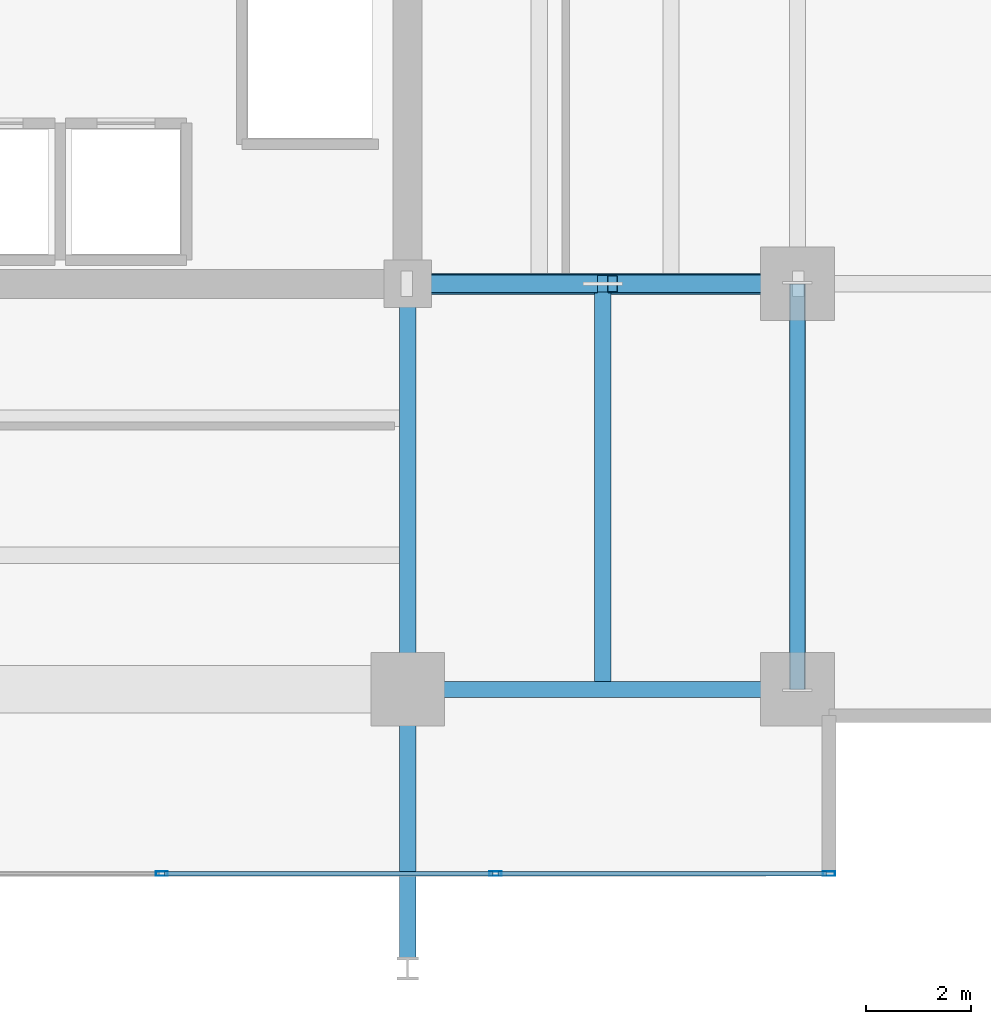
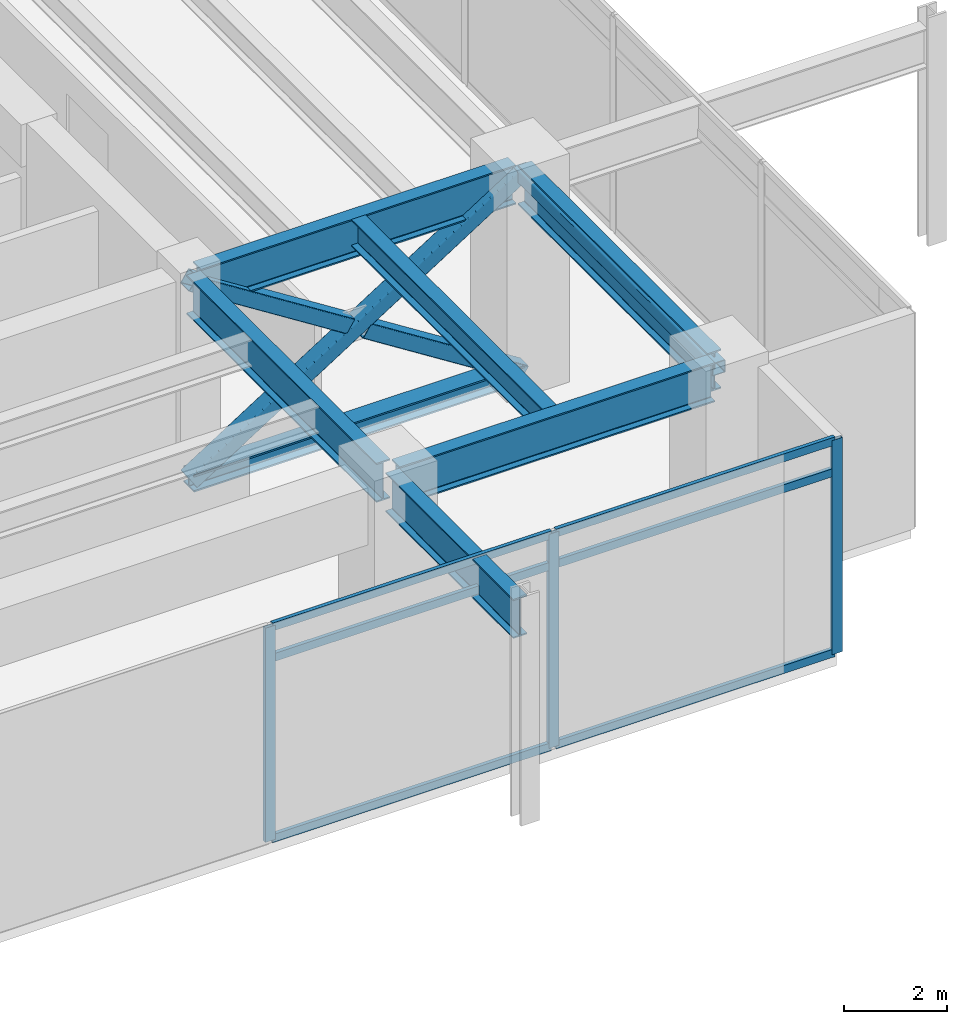
# One storey, part 8 of 21: 14 members, 6 beams, 1 element without a shape of its own.
"""IFC4 building model written with IfcOpenShell, lengths in metres."""

from ifc_helpers import new_model, si_unit, direction, frame, origin, origin_2d, place, context, subcontext, project, spatial, hollow_rectangle, i_section, extrude, material, material_profile, profile_set, type_object, element, aggregate, save


model = new_model("IFC4")

# Units and contexts
model_context = context("Model", 3, precision=1e-05, world=origin(), true_north=direction((0.0, 1.0)))
body_context = subcontext(model_context, "Body", "Model", "MODEL_VIEW")
ifc_project = project(units=[si_unit("LENGTHUNIT", "METRE"), si_unit("AREAUNIT", "SQUARE_METRE"), si_unit("VOLUMEUNIT", "CUBIC_METRE"), si_unit("PLANEANGLEUNIT", "RADIAN"), si_unit("MASSUNIT", "GRAM", prefix="KILO")], contexts=[model_context])

# Site, building, storey
site_placement = place(None, origin())
site = spatial("IfcSite", under=ifc_project, at=site_placement, CompositionType="ELEMENT")
building_placement = place(site_placement, origin())
building = spatial("IfcBuilding", under=site, at=building_placement, Name="Kovane Verandah Tower", CompositionType="ELEMENT")
storey_placement = place(building_placement, frame((0.0, 0.0, 189.39990234375)))
storey = spatial("IfcBuildingStorey", under=building, at=storey_placement, Name="L44", CompositionType="ELEMENT", Elevation=189.39990234375)

# Beams
ifc_material_1 = material(Name="Steel S460", Category="steel")
ifc_material_profile_1 = material_profile(ifc_material_1, i_section(OverallWidth=0.311279296875, OverallDepth=0.6357421875, WebThickness=0.018310546875, FlangeThickness=0.031494140625, FilletRadius=0.0166015625, at=origin_2d()), Name="UB610x305x238")
ifc_profile_set_1 = profile_set([ifc_material_profile_1], Name="Steel S460")
beam_type_1 = type_object("IfcBeamType", Name="BM-UB610x238", PredefinedType="BEAM", material=ifc_profile_set_1)
beam_1_placement = place(storey_placement, frame((54.699951171875, 10.951904296875, 4.7822265625), z_axis=(0.0, 1.0, 0.0), x_axis=(-1.0, 0.0, 0.0)))
element("IfcBeam", 1, at=beam_1_placement, inside=storey, type_object=beam_type_1, Name="L44 Secondary Composite Joist J-SE1", PredefinedType="BEAM", context=body_context, shape_type="SweptSolid", body=[
    extrude(i_section(OverallWidth=0.311279296875, OverallDepth=0.6357421875, WebThickness=0.018310546875, FlangeThickness=0.031494140625, FilletRadius=0.0166015625, at=origin_2d()), origin(), (0.0, 0.0, 1.0), 7.396240234375),
])
ifc_material_profile_2 = material_profile(ifc_material_1, i_section(OverallWidth=0.3076171875, OverallDepth=0.926513671875, WebThickness=0.01953125, FlangeThickness=0.031982421875, FilletRadius=0.01904296875, at=origin_2d()), Name="UB914x305x289")
ifc_profile_set_2 = profile_set([ifc_material_profile_2], Name="Steel S460")
beam_type_2 = type_object("IfcBeamType", Name="BM-UB914x289", PredefinedType="BEAM", material=ifc_profile_set_2)
beam_2_placement = place(storey_placement, frame((51.179931640625, 10.800048828125, 4.63671875), z_axis=(1.0, 0.0, 0.0), x_axis=(0.0, 1.0, 0.0)))
element("IfcBeam", 2, at=beam_2_placement, inside=storey, type_object=beam_type_2, Name="L44 Primary Tower Girder G-RS3", PredefinedType="BEAM", context=body_context, shape_type="SweptSolid", body=[
    extrude(i_section(OverallWidth=0.3076171875, OverallDepth=0.926513671875, WebThickness=0.01953125, FlangeThickness=0.031982421875, FilletRadius=0.01904296875, at=origin_2d()), origin(), (0.0, 0.0, 1.0), 7.0400390625),
])
beam_3_placement = place(storey_placement, frame((58.39990234375, 10.97998046875, 4.63671875), z_axis=(0.0, 1.0, 0.0), x_axis=(-1.0, 0.0, 0.0)))
element("IfcBeam", 3, at=beam_3_placement, inside=storey, type_object=beam_type_2, Name="L44 Primary Tower Girder G-RE1", PredefinedType="BEAM", context=body_context, shape_type="SweptSolid", body=[
    extrude(i_section(OverallWidth=0.3076171875, OverallDepth=0.926513671875, WebThickness=0.01953125, FlangeThickness=0.031982421875, FilletRadius=0.01904296875, at=origin_2d()), origin(), (0.0, 0.0, 1.0), 7.340087890625),
])
beam_4_placement = place(storey_placement, frame((51.179931640625, 18.5, 4.63671875), z_axis=(1.0, 0.0, 0.0), x_axis=(0.0, 1.0, 0.0)))
element("IfcBeam", 4, at=beam_4_placement, inside=storey, type_object=beam_type_2, Name="L44 Primary Tower Girder G-E1", PredefinedType="BEAM", context=body_context, shape_type="SweptSolid", body=[
    extrude(i_section(OverallWidth=0.3076171875, OverallDepth=0.926513671875, WebThickness=0.01953125, FlangeThickness=0.031982421875, FilletRadius=0.01904296875, at=origin_2d()), origin(), (0.0, 0.0, 1.0), 7.0400390625),
])
beam_5_placement = place(storey_placement, frame((51.0, 18.320068359375, 4.63671875), z_axis=(0.0, -1.0, 0.0), x_axis=(1.0, 0.0, 0.0)))
element("IfcBeam", 5, at=beam_5_placement, inside=storey, type_object=beam_type_2, Name="L44 Primary Tower Girder G-S2", PredefinedType="BEAM", context=body_context, shape_type="SweptSolid", body=[
    extrude(i_section(OverallWidth=0.3076171875, OverallDepth=0.926513671875, WebThickness=0.01953125, FlangeThickness=0.031982421875, FilletRadius=0.01904296875, at=origin_2d()), origin(), (0.0, 0.0, 1.0), 7.340087890625),
])
beam_6_placement = place(storey_placement, frame((51.0, 10.6201171875, 4.63671875), z_axis=(0.0, -1.0, 0.0), x_axis=(1.0, 0.0, 0.0)))
element("IfcBeam", 6, at=beam_6_placement, inside=storey, type_object=beam_type_2, Name="L44 Primary Tower Girder G-VS2", PredefinedType="BEAM", context=body_context, shape_type="SweptSolid", body=[
    extrude(i_section(OverallWidth=0.3076171875, OverallDepth=0.926513671875, WebThickness=0.01953125, FlangeThickness=0.031982421875, FilletRadius=0.01904296875, at=origin_2d()), origin(), (0.0, 0.0, 1.0), 4.940185546875),
])

# Curtain wall, members
ifc_material_2 = material(Name="Champagne Anodised Aluminium Frame with Low-E Clear Laminated Glass", Category="aluminium")
curtain_wall_type = type_object("IfcCurtainWallType", Name="CW-SYS-04-WAIST", PredefinedType="NOTDEFINED", material=ifc_material_2)
curtain_wall_placement = place(storey_placement, origin())
curtain_wall = element("IfcCurtainWall", 7, at=curtain_wall_placement, inside=storey, type_object=curtain_wall_type, Name="L44 S Unitised Curtain Wall", PredefinedType="NOTDEFINED")
ifc_material_3 = material(Name="Champagne Anodised Aluminium 6063-T6", Category="aluminium")
ifc_material_profile_3 = material_profile(ifc_material_3, hollow_rectangle(XDim=0.0849609375, YDim=0.22998046875, WallThickness=0.00390625, at=origin_2d()), Name="AL85x230x4")
ifc_profile_set_3 = profile_set([ifc_material_profile_3], Name="Champagne Anodised Aluminium 6063-T6")
member_type_1 = type_object("IfcMemberType", Name="CW-MUL-85x230", PredefinedType="MULLION", material=ifc_profile_set_3)
member_1_placement = place(storey_placement, frame((46.333251953125, 7.300048828125, 0.02001953125), z_axis=(0.0, 0.0, 1.0), x_axis=(0.0, -1.0, 0.0)))
member_1 = element("IfcMember", 8, at=member_1_placement, type_object=member_type_1, Name="L44 S Unitised Curtain Wall Mullion 5", PredefinedType="MULLION", context=body_context, shape_type="SweptSolid", body=[
    extrude(hollow_rectangle(XDim=0.0849609375, YDim=0.22998046875, WallThickness=0.00390625, at=origin_2d()), origin(), (0.0, 0.0, 1.0), 5.06005859375),
])
member_2_placement = place(storey_placement, frame((52.666748046875, 7.300048828125, 0.02001953125), z_axis=(0.0, 0.0, 1.0), x_axis=(0.0, -1.0, 0.0)))
member_2 = element("IfcMember", 9, at=member_2_placement, type_object=member_type_1, Name="L44 S Unitised Curtain Wall Mullion 6", PredefinedType="MULLION", context=body_context, shape_type="SweptSolid", body=[
    extrude(hollow_rectangle(XDim=0.0849609375, YDim=0.22998046875, WallThickness=0.00390625, at=origin_2d()), origin(), (0.0, 0.0, 1.0), 5.06005859375),
])
member_3_placement = place(storey_placement, frame((59.0, 7.300048828125, 0.02001953125), z_axis=(0.0, 0.0, 1.0), x_axis=(0.0, -1.0, 0.0)))
member_3 = element("IfcMember", 10, at=member_3_placement, type_object=member_type_1, Name="L44 S Unitised Curtain Wall Mullion 7", PredefinedType="MULLION", context=body_context, shape_type="SweptSolid", body=[
    extrude(hollow_rectangle(XDim=0.0849609375, YDim=0.22998046875, WallThickness=0.00390625, at=origin_2d()), origin(), (0.0, 0.0, 1.0), 5.06005859375),
])
ifc_material_profile_4 = material_profile(ifc_material_3, hollow_rectangle(XDim=0.0849609375, YDim=0.18994140625, WallThickness=0.00390625, at=origin_2d()), Name="AL85x190x4")
ifc_profile_set_4 = profile_set([ifc_material_profile_4], Name="Champagne Anodised Aluminium 6063-T6")
member_type_2 = type_object("IfcMemberType", Name="CW-TRN-85x190", PredefinedType="USERDEFINED", material=ifc_profile_set_4)
member_4_placement = place(storey_placement, frame((46.38330078125, 7.300048828125, 0.050048828125), z_axis=(1.0, 0.0, 0.0), x_axis=(0.0, 1.0, 0.0)))
member_4 = element("IfcMember", 11, at=member_4_placement, type_object=member_type_2, Name="L44 S Unitised Curtain Wall Transom TB Bay 5", ObjectType="TRANSOM", PredefinedType="USERDEFINED", context=body_context, shape_type="SweptSolid", body=[
    extrude(hollow_rectangle(XDim=0.0849609375, YDim=0.18994140625, WallThickness=0.00390625, at=origin_2d()), origin(), (0.0, 0.0, 1.0), 6.2333984375),
])
member_5_placement = place(storey_placement, frame((46.38330078125, 7.300048828125, 4.320068359375), z_axis=(1.0, 0.0, 0.0), x_axis=(0.0, 1.0, 0.0)))
member_5 = element("IfcMember", 12, at=member_5_placement, type_object=member_type_2, Name="L44 S Unitised Curtain Wall Transom TM Bay 5", ObjectType="TRANSOM", PredefinedType="USERDEFINED", context=body_context, shape_type="SweptSolid", body=[
    extrude(hollow_rectangle(XDim=0.0849609375, YDim=0.18994140625, WallThickness=0.00390625, at=origin_2d()), origin(), (0.0, 0.0, 1.0), 6.2333984375),
])
member_6_placement = place(storey_placement, frame((46.38330078125, 7.300048828125, 5.050048828125), z_axis=(1.0, 0.0, 0.0), x_axis=(0.0, 1.0, 0.0)))
member_6 = element("IfcMember", 13, at=member_6_placement, type_object=member_type_2, Name="L44 S Unitised Curtain Wall Transom TT Bay 5", ObjectType="TRANSOM", PredefinedType="USERDEFINED", context=body_context, shape_type="SweptSolid", body=[
    extrude(hollow_rectangle(XDim=0.0849609375, YDim=0.18994140625, WallThickness=0.00390625, at=origin_2d()), origin(), (0.0, 0.0, 1.0), 6.2333984375),
])
member_7_placement = place(storey_placement, frame((52.716796875, 7.300048828125, 0.050048828125), z_axis=(1.0, 0.0, 0.0), x_axis=(0.0, 1.0, 0.0)))
member_7 = element("IfcMember", 14, at=member_7_placement, type_object=member_type_2, Name="L44 S Unitised Curtain Wall Transom TB Bay 6", ObjectType="TRANSOM", PredefinedType="USERDEFINED", context=body_context, shape_type="SweptSolid", body=[
    extrude(hollow_rectangle(XDim=0.0849609375, YDim=0.18994140625, WallThickness=0.00390625, at=origin_2d()), origin(), (0.0, 0.0, 1.0), 6.233154296875),
])
member_8_placement = place(storey_placement, frame((52.716796875, 7.300048828125, 4.320068359375), z_axis=(1.0, 0.0, 0.0), x_axis=(0.0, 1.0, 0.0)))
member_8 = element("IfcMember", 15, at=member_8_placement, type_object=member_type_2, Name="L44 S Unitised Curtain Wall Transom TM Bay 6", ObjectType="TRANSOM", PredefinedType="USERDEFINED", context=body_context, shape_type="SweptSolid", body=[
    extrude(hollow_rectangle(XDim=0.0849609375, YDim=0.18994140625, WallThickness=0.00390625, at=origin_2d()), origin(), (0.0, 0.0, 1.0), 6.233154296875),
])
member_9_placement = place(storey_placement, frame((52.716796875, 7.300048828125, 5.050048828125), z_axis=(1.0, 0.0, 0.0), x_axis=(0.0, 1.0, 0.0)))
member_9 = element("IfcMember", 16, at=member_9_placement, type_object=member_type_2, Name="L44 S Unitised Curtain Wall Transom TT Bay 6", ObjectType="TRANSOM", PredefinedType="USERDEFINED", context=body_context, shape_type="SweptSolid", body=[
    extrude(hollow_rectangle(XDim=0.0849609375, YDim=0.18994140625, WallThickness=0.00390625, at=origin_2d()), origin(), (0.0, 0.0, 1.0), 6.233154296875),
])
aggregate(curtain_wall, [member_1, member_2, member_3, member_4, member_5, member_6, member_7, member_8, member_9])

# Members
ifc_material_profile_5 = material_profile(ifc_material_1, hollow_rectangle(XDim=0.300048828125, YDim=0.300048828125, WallThickness=0.01611328125, InnerFilletRadius=0.01611328125, OuterFilletRadius=0.031982421875, at=origin_2d()), Name="SHS300x300x16")
ifc_profile_set_5 = profile_set([ifc_material_profile_5], Name="Steel S460")
member_type_3 = type_object("IfcMemberType", Name="MEM-BR-SHS300", PredefinedType="BRACE", material=ifc_profile_set_5)
member_10_placement = place(storey_placement, frame((58.39990234375, 10.800048828125, 4.820068359375), z_axis=(0.0, 1.0, 0.0), x_axis=(-1.0, 0.0, 0.0)))
element("IfcMember", 17, at=member_10_placement, inside=storey, type_object=member_type_3, Name="L44 Belt-Truss Ring Chord BE1", PredefinedType="BRACE", context=body_context, shape_type="SweptSolid", body=[
    extrude(hollow_rectangle(XDim=0.300048828125, YDim=0.300048828125, WallThickness=0.01611328125, InnerFilletRadius=0.01611328125, OuterFilletRadius=0.031982421875, at=origin_2d()), origin(), (0.0, 0.0, 1.0), 7.699951171875),
])
ifc_material_profile_6 = material_profile(ifc_material_1, hollow_rectangle(XDim=0.35009765625, YDim=0.35009765625, WallThickness=0.01611328125, InnerFilletRadius=0.01611328125, OuterFilletRadius=0.031982421875, at=origin_2d()), Name="SHS350x350x16")
ifc_profile_set_6 = profile_set([ifc_material_profile_6], Name="Steel S460")
member_type_4 = type_object("IfcMemberType", Name="MEM-BR-SHS350", PredefinedType="BRACE", material=ifc_profile_set_6)
member_11_placement = place(storey_placement, frame((51.0, 18.5, 0.1201171875), z_axis=(0.844130190712, 0.0, 0.536138248149), x_axis=(0.0, 1.0, 0.0)))
element("IfcMember", 18, at=member_11_placement, inside=storey, type_object=member_type_4, Name="L44 Outrigger Continuous Diagonal OE1", PredefinedType="BRACE", context=body_context, shape_type="SweptSolid", body=[
    extrude(hollow_rectangle(XDim=0.35009765625, YDim=0.35009765625, WallThickness=0.01611328125, InnerFilletRadius=0.01611328125, OuterFilletRadius=0.031982421875, at=origin_2d()), origin(), (0.0, 0.0, 1.0), 8.766357421875),
])
member_12_placement = place(storey_placement, frame((58.39990234375, 18.5, 0.1201171875), z_axis=(-0.844134458602, 0.0, 0.536131528452), x_axis=(0.0, -1.0, 0.0)))
element("IfcMember", 19, at=member_12_placement, inside=storey, type_object=member_type_4, Name="L44 Outrigger Split Diagonal Lower OE1", PredefinedType="BRACE", context=body_context, shape_type="SweptSolid", body=[
    extrude(hollow_rectangle(XDim=0.35009765625, YDim=0.35009765625, WallThickness=0.01611328125, InnerFilletRadius=0.01611328125, OuterFilletRadius=0.031982421875, at=origin_2d()), origin(), (0.0, 0.0, 1.0), 4.1630859375),
])
member_13_placement = place(storey_placement, frame((54.514404296875, 18.5, 2.588134765625), z_axis=(-0.844151314061, 0.0, 0.536104988756), x_axis=(0.0, -1.0, 0.0)))
element("IfcMember", 20, at=member_13_placement, inside=storey, type_object=member_type_4, Name="L44 Outrigger Split Diagonal Upper OE1", PredefinedType="BRACE", context=body_context, shape_type="SweptSolid", body=[
    extrude(hollow_rectangle(XDim=0.35009765625, YDim=0.35009765625, WallThickness=0.01611328125, InnerFilletRadius=0.01611328125, OuterFilletRadius=0.031982421875, at=origin_2d()), origin(), (0.0, 0.0, 1.0), 4.163330078125),
])
ifc_material_profile_7 = material_profile(ifc_material_1, i_section(OverallWidth=0.39892578125, OverallDepth=0.3935546875, WebThickness=0.022705078125, FlangeThickness=0.03662109375, FilletRadius=0.01513671875, at=origin_2d()), Name="UC356x406x287")
ifc_profile_set_7 = profile_set([ifc_material_profile_7], Name="Steel S460")
member_type_5 = type_object("IfcMemberType", Name="MEM-CHORD-UC287", PredefinedType="CHORD", material=ifc_profile_set_7)
member_14_placement = place(storey_placement, frame((51.0, 18.5, 0.1201171875), z_axis=(1.0, 0.0, 0.0), x_axis=(0.0, 1.0, 0.0)))
element("IfcMember", 21, at=member_14_placement, inside=storey, type_object=member_type_5, Name="L44 Outrigger Bottom Chord OE1", PredefinedType="CHORD", context=body_context, shape_type="SweptSolid", body=[
    extrude(i_section(OverallWidth=0.39892578125, OverallDepth=0.3935546875, WebThickness=0.022705078125, FlangeThickness=0.03662109375, FilletRadius=0.01513671875, at=origin_2d()), origin(), (0.0, 0.0, 1.0), 7.39990234375),
])

save(model, "model.ifc")
